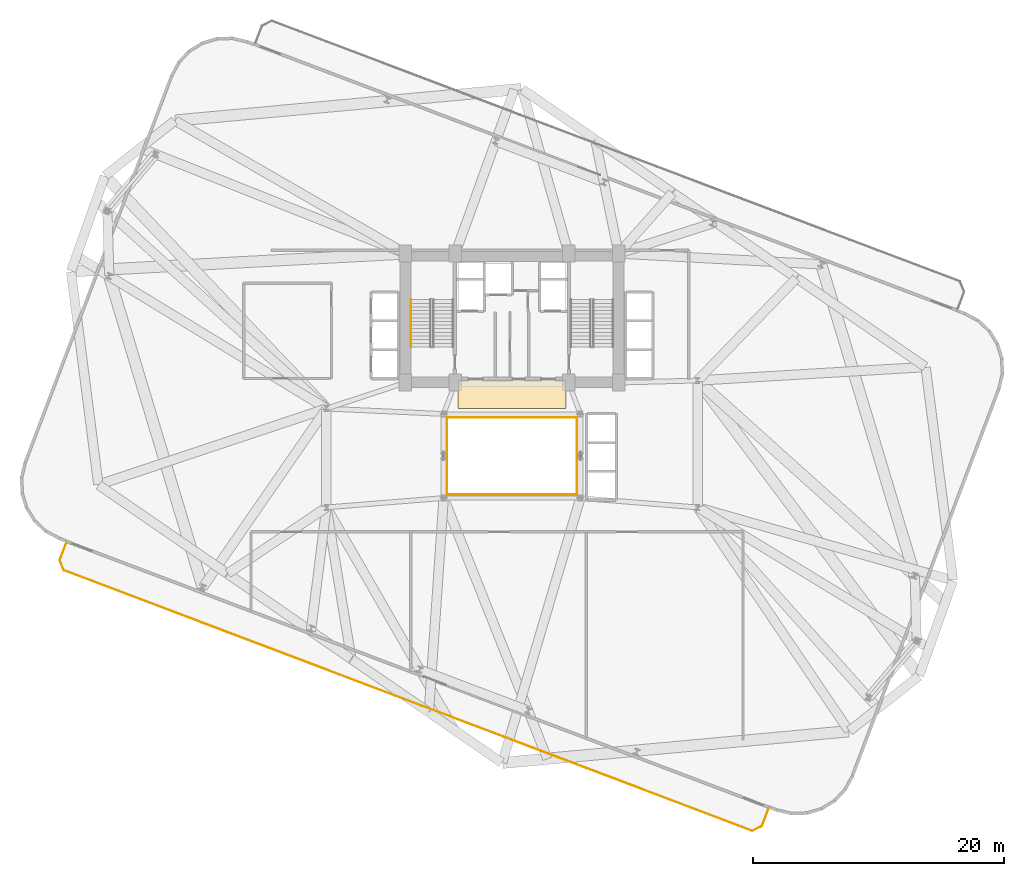
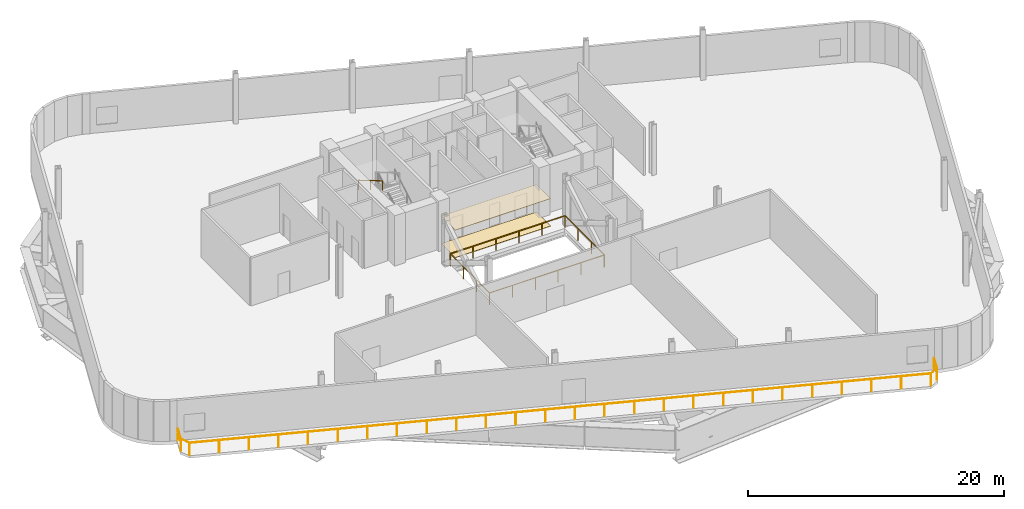
# One storey, part 9 of 11: 4 railings, 2 coverings.
"""IFC4 building model written with IfcOpenShell, lengths in metres."""

from ifc_helpers import new_model, si_unit, direction, frame, origin, origin_2d, place, context, subcontext, project, spatial, rectangle, circle, extrude, source, transform, mapped, material, layer, layer_set, type_object, element, save


model = new_model("IFC4")

# Units and contexts
model_context = context("Model", 3, precision=1e-05, world=origin(), true_north=direction((0.0, 1.0)))
body_context = subcontext(model_context, "Body", "Model", "MODEL_VIEW")
ifc_project = project(units=[si_unit("LENGTHUNIT", "METRE"), si_unit("AREAUNIT", "SQUARE_METRE"), si_unit("VOLUMEUNIT", "CUBIC_METRE"), si_unit("PLANEANGLEUNIT", "RADIAN"), si_unit("MASSUNIT", "GRAM", prefix="KILO")], contexts=[model_context])

# Site, building, storey
site_placement = place(None, origin())
site = spatial("IfcSite", under=ifc_project, at=site_placement, CompositionType="ELEMENT")
building_placement = place(site_placement, origin())
building = spatial("IfcBuilding", under=site, at=building_placement, Name="Varnelok Gate Tower", CompositionType="ELEMENT")
storey_placement = place(building_placement, frame((0.0, 0.0, 71.39990234375)))
storey = spatial("IfcBuildingStorey", under=building, at=storey_placement, Name="L17", CompositionType="ELEMENT", Elevation=71.39990234375)

# Railings
ifc_material_1 = material(Name="Tempered Laminated Balustrade Glass", Category="glass")
railing_type_1 = type_object("IfcRailingType", Name="RL-ATR-GUARD1150", PredefinedType="GUARDRAIL", material=ifc_material_1)
railing_1_placement = place(storey_placement, frame((34.02001953125, 25.929931640625, 0.0)))
element("IfcRailing", 1, at=railing_1_placement, inside=storey, type_object=railing_type_1, Name="L17 Internal Atrium South-West Guardrail", PredefinedType="GUARDRAIL", context=body_context, shape_type="SweptSolid", body=[
    extrude(circle(Radius=0.02392578125, at=origin_2d()), frame((0.0, 0.0, 1.1259765625), z_axis=(0.0, -1.0, 0.0), x_axis=(1.0, 0.0, 0.0)), (0.0, 0.0, 1.0), 6.10986328125),
    extrude(circle(Radius=0.02392578125, at=origin_2d()), frame((0.0, -6.10986328125, 1.1259765625), z_axis=(1.0, 0.0, 0.0), x_axis=(0.0, 1.0, 0.0)), (0.0, 0.0, 1.0), 10.31005859375),
    extrude(circle(Radius=0.02099609375, at=origin_2d()), origin(), (0.0, 0.0, 1.0), 1.101806640625),
    extrude(circle(Radius=0.02099609375, at=origin_2d()), frame((0.0, -2.03662109375, 0.0)), (0.0, 0.0, 1.0), 1.101806640625),
    extrude(circle(Radius=0.02099609375, at=origin_2d()), frame((0.0, -4.0732421875, 0.0)), (0.0, 0.0, 1.0), 1.101806640625),
    extrude(circle(Radius=0.02099609375, at=origin_2d()), frame((0.0, -6.10986328125, 0.0)), (0.0, 0.0, 1.0), 1.101806640625),
    extrude(circle(Radius=0.02099609375, at=origin_2d()), frame((2.06201171875, -6.10986328125, 0.0)), (0.0, 0.0, 1.0), 1.101806640625),
    extrude(circle(Radius=0.02099609375, at=origin_2d()), frame((4.1240234375, -6.10986328125, 0.0)), (0.0, 0.0, 1.0), 1.101806640625),
    extrude(circle(Radius=0.02099609375, at=origin_2d()), frame((6.18603515625, -6.10986328125, 0.0)), (0.0, 0.0, 1.0), 1.101806640625),
    extrude(circle(Radius=0.02099609375, at=origin_2d()), frame((8.248046875, -6.10986328125, 0.0)), (0.0, 0.0, 1.0), 1.101806640625),
    extrude(circle(Radius=0.02099609375, at=origin_2d()), frame((10.31005859375, -6.10986328125, 0.0)), (0.0, 0.0, 1.0), 1.101806640625),
])
railing_2_placement = place(storey_placement, frame((44.3798828125, 19.820068359375, 0.0)))
element("IfcRailing", 2, at=railing_2_placement, inside=storey, type_object=railing_type_1, Name="L17 Internal Atrium North-East Guardrail", PredefinedType="GUARDRAIL", context=body_context, shape_type="SweptSolid", body=[
    extrude(circle(Radius=0.02392578125, at=origin_2d()), frame((0.0, 0.0, 1.1259765625), z_axis=(0.0, 1.0, 0.0), x_axis=(-1.0, 0.0, 0.0)), (0.0, 0.0, 1.0), 6.159912109375),
    extrude(circle(Radius=0.02392578125, at=origin_2d()), frame((0.0, 6.159912109375, 1.1259765625), z_axis=(-1.0, 0.0, 0.0), x_axis=(0.0, -1.0, 0.0)), (0.0, 0.0, 1.0), 10.35986328125),
    extrude(circle(Radius=0.02099609375, at=origin_2d()), origin(), (0.0, 0.0, 1.0), 1.101806640625),
    extrude(circle(Radius=0.02099609375, at=origin_2d()), frame((0.0, 2.05322265625, 0.0)), (0.0, 0.0, 1.0), 1.101806640625),
    extrude(circle(Radius=0.02099609375, at=origin_2d()), frame((0.0, 4.106689453125, 0.0)), (0.0, 0.0, 1.0), 1.101806640625),
    extrude(circle(Radius=0.02099609375, at=origin_2d()), frame((0.0, 6.159912109375, 0.0)), (0.0, 0.0, 1.0), 1.101806640625),
    extrude(circle(Radius=0.02099609375, at=origin_2d()), frame((-2.072021484375, 6.159912109375, 0.0)), (0.0, 0.0, 1.0), 1.101806640625),
    extrude(circle(Radius=0.02099609375, at=origin_2d()), frame((-4.14404296875, 6.159912109375, 0.0)), (0.0, 0.0, 1.0), 1.101806640625),
    extrude(circle(Radius=0.02099609375, at=origin_2d()), frame((-6.2158203125, 6.159912109375, 0.0)), (0.0, 0.0, 1.0), 1.101806640625),
    extrude(circle(Radius=0.02099609375, at=origin_2d()), frame((-8.287841796875, 6.159912109375, 0.0)), (0.0, 0.0, 1.0), 1.101806640625),
    extrude(circle(Radius=0.02099609375, at=origin_2d()), frame((-10.35986328125, 6.159912109375, 0.0)), (0.0, 0.0, 1.0), 1.101806640625),
])
ifc_material_2 = material(Name="Brushed Stainless Steel AISI 316", Category="steel")
railing_type_2 = type_object("IfcRailingType", Name="RL-HANDRAIL-900", PredefinedType="HANDRAIL", material=ifc_material_2)
railing_3_placement = place(storey_placement, frame((31.14990234375, 35.3701171875, 2.571533203125)))
element("IfcRailing", 3, at=railing_3_placement, inside=storey, type_object=railing_type_2, Name="L17 ST-1 stair handrail 2", PredefinedType="HANDRAIL", context=body_context, shape_type="SweptSolid", body=[
    extrude(circle(Radius=0.02392578125, at=origin_2d()), frame((0.0, 0.0, 0.8759765625), z_axis=(0.0, -0.860848830602, 0.508860777473), x_axis=(1.0, 0.0, 0.0)), (0.0, 0.0, 1.0), 4.37939453125),
    extrude(circle(Radius=0.02099609375, at=origin_2d()), origin(), (0.0, 0.0, 1.0), 0.851806640625),
    extrude(circle(Radius=0.02099609375, at=origin_2d()), frame((0.0, -1.885009765625, 1.1142578125)), (0.0, 0.0, 1.0), 0.851806640625),
    extrude(circle(Radius=0.02099609375, at=origin_2d()), frame((0.0, -3.77001953125, 2.228515625)), (0.0, 0.0, 1.0), 0.851806640625),
])
ifc_material_3 = material(Name="Anodized Aluminum Alloy 6063-T6", Category="aluminium")
railing_type_3 = type_object("IfcRailingType", Name="RL-SKYG-1200", PredefinedType="GUARDRAIL", material=ifc_material_3)
railing_4_placement = place(storey_placement, frame((3.657958984375, 15.98046875, 0.0)))
element("IfcRailing", 4, at=railing_4_placement, inside=storey, type_object=railing_type_3, Name="L17 South Terrace Balustrade 1", PredefinedType="GUARDRAIL", context=body_context, shape_type="SweptSolid", body=[
    extrude(circle(Radius=0.02392578125, at=origin_2d()), frame((0.0, 0.0, 1.17578125), z_axis=(-0.354088417467, -0.935211950638, 0.0), x_axis=(0.935211950638, -0.354088417467, 0.0)), (0.0, 0.0, 1.0), 1.469970703125),
    extrude(circle(Radius=0.02392578125, at=origin_2d()), frame((-0.5205078125, -1.374755859375, 1.17578125), z_axis=(0.366254584666, -0.930514685113, 0.0), x_axis=(0.930514685113, 0.366254584666, 0.0)), (0.0, 0.0, 1.0), 0.8779296875),
    extrude(circle(Radius=0.02392578125, at=origin_2d()), frame((-0.198974609375, -2.191650390625, 1.17578125), z_axis=(0.935222284859, -0.354061121705, 0.0), x_axis=(0.354061121705, 0.935222284859, 0.0)), (0.0, 0.0, 1.0), 58.7001953125),
    extrude(circle(Radius=0.02392578125, at=origin_2d()), frame((54.69873046875, -22.97509765625, 1.17578125), z_axis=(0.890725095116, 0.454542412686, 0.0), x_axis=(-0.454542412686, 0.890725095116, 0.0)), (0.0, 0.0, 1.0), 0.877685546875),
    extrude(circle(Radius=0.02392578125, at=origin_2d()), frame((55.48046875, -22.576171875, 1.17578125), z_axis=(0.354088417467, 0.935211950638, 0.0), x_axis=(-0.935211950638, 0.354088417467, 0.0)), (0.0, 0.0, 1.0), 1.469970703125),
    extrude(circle(Radius=0.02099609375, at=origin_2d()), origin(), (0.0, 0.0, 1.0), 1.15185546875),
    extrude(circle(Radius=0.02099609375, at=origin_2d()), frame((-0.5205078125, -1.374755859375, 0.0)), (0.0, 0.0, 1.0), 1.15185546875),
    extrude(circle(Radius=0.02099609375, at=origin_2d()), frame((-0.198974609375, -2.191650390625, 0.0)), (0.0, 0.0, 1.0), 1.15185546875),
    extrude(circle(Radius=0.02099609375, at=origin_2d()), frame((1.996826171875, -3.02294921875, 0.0)), (0.0, 0.0, 1.0), 1.15185546875),
    extrude(circle(Radius=0.02099609375, at=origin_2d()), frame((4.19287109375, -3.854248046875, 0.0)), (0.0, 0.0, 1.0), 1.15185546875),
    extrude(circle(Radius=0.02099609375, at=origin_2d()), frame((6.388671875, -4.685546875, 0.0)), (0.0, 0.0, 1.0), 1.15185546875),
    extrude(circle(Radius=0.02099609375, at=origin_2d()), frame((8.584716796875, -5.51708984375, 0.0)), (0.0, 0.0, 1.0), 1.15185546875),
    extrude(circle(Radius=0.02099609375, at=origin_2d()), frame((10.780517578125, -6.348388671875, 0.0)), (0.0, 0.0, 1.0), 1.15185546875),
    extrude(circle(Radius=0.02099609375, at=origin_2d()), frame((12.9765625, -7.1796875, 0.0)), (0.0, 0.0, 1.0), 1.15185546875),
    extrude(circle(Radius=0.02099609375, at=origin_2d()), frame((15.17236328125, -8.010986328125, 0.0)), (0.0, 0.0, 1.0), 1.15185546875),
    extrude(circle(Radius=0.02099609375, at=origin_2d()), frame((17.368408203125, -8.84228515625, 0.0)), (0.0, 0.0, 1.0), 1.15185546875),
    extrude(circle(Radius=0.02099609375, at=origin_2d()), frame((19.564208984375, -9.673583984375, 0.0)), (0.0, 0.0, 1.0), 1.15185546875),
    extrude(circle(Radius=0.02099609375, at=origin_2d()), frame((21.760009765625, -10.505126953125, 0.0)), (0.0, 0.0, 1.0), 1.15185546875),
    extrude(circle(Radius=0.02099609375, at=origin_2d()), frame((23.9560546875, -11.33642578125, 0.0)), (0.0, 0.0, 1.0), 1.15185546875),
    extrude(circle(Radius=0.02099609375, at=origin_2d()), frame((26.15185546875, -12.167724609375, 0.0)), (0.0, 0.0, 1.0), 1.15185546875),
    extrude(circle(Radius=0.02099609375, at=origin_2d()), frame((28.347900390625, -12.9990234375, 0.0)), (0.0, 0.0, 1.0), 1.15185546875),
    extrude(circle(Radius=0.02099609375, at=origin_2d()), frame((30.543701171875, -13.830322265625, 0.0)), (0.0, 0.0, 1.0), 1.15185546875),
    extrude(circle(Radius=0.02099609375, at=origin_2d()), frame((32.73974609375, -14.66162109375, 0.0)), (0.0, 0.0, 1.0), 1.15185546875),
    extrude(circle(Radius=0.02099609375, at=origin_2d()), frame((34.935546875, -15.4931640625, 0.0)), (0.0, 0.0, 1.0), 1.15185546875),
    extrude(circle(Radius=0.02099609375, at=origin_2d()), frame((37.13134765625, -16.324462890625, 0.0)), (0.0, 0.0, 1.0), 1.15185546875),
    extrude(circle(Radius=0.02099609375, at=origin_2d()), frame((39.327392578125, -17.15576171875, 0.0)), (0.0, 0.0, 1.0), 1.15185546875),
    extrude(circle(Radius=0.02099609375, at=origin_2d()), frame((41.523193359375, -17.987060546875, 0.0)), (0.0, 0.0, 1.0), 1.15185546875),
    extrude(circle(Radius=0.02099609375, at=origin_2d()), frame((43.71923828125, -18.818359375, 0.0)), (0.0, 0.0, 1.0), 1.15185546875),
    extrude(circle(Radius=0.02099609375, at=origin_2d()), frame((45.9150390625, -19.649658203125, 0.0)), (0.0, 0.0, 1.0), 1.15185546875),
    extrude(circle(Radius=0.02099609375, at=origin_2d()), frame((48.111083984375, -20.481201171875, 0.0)), (0.0, 0.0, 1.0), 1.15185546875),
    extrude(circle(Radius=0.02099609375, at=origin_2d()), frame((50.306884765625, -21.3125, 0.0)), (0.0, 0.0, 1.0), 1.15185546875),
    extrude(circle(Radius=0.02099609375, at=origin_2d()), frame((52.5029296875, -22.143798828125, 0.0)), (0.0, 0.0, 1.0), 1.15185546875),
    extrude(circle(Radius=0.02099609375, at=origin_2d()), frame((54.69873046875, -22.97509765625, 0.0)), (0.0, 0.0, 1.0), 1.15185546875),
    extrude(circle(Radius=0.02099609375, at=origin_2d()), frame((55.48046875, -22.576171875, 0.0)), (0.0, 0.0, 1.0), 1.15185546875),
    extrude(circle(Radius=0.02099609375, at=origin_2d()), frame((56.0009765625, -21.201416015625, 0.0)), (0.0, 0.0, 1.0), 1.15185546875),
])

# Coverings
ifc_material_4 = material(Name="Honed Travertine Stone Flooring", Category="masonry")
ifc_layer_1 = layer(ifc_material_4, 0.02490234375)
ifc_layer_set_1 = layer_set([ifc_layer_1], Name="Honed Travertine Stone Flooring")
covering_type_1 = type_object("IfcCoveringType", Name="COV-FLOR-STONE", PredefinedType="FLOORING", material=ifc_layer_set_1)
shared_shape_1 = source(origin(), body_context, "Body", "SweptSolid", [
    extrude(rectangle(XDim=8.60009765625, YDim=2.219970703125, at=origin_2d()), origin(), (0.0, 0.0, 1.0), 0.02490234375),
])
covering_1_placement = place(storey_placement, frame((39.199951171875, 27.800048828125, 0.000244140625), z_axis=(0.0, 0.0, 1.0), x_axis=(1.0, 0.0, 0.0)))
element("IfcCovering", 5, at=covering_1_placement, inside=storey, type_object=covering_type_1, Name="L17 Core Gallery Stone Flooring", PredefinedType="FLOORING", context=body_context, shape_type="MappedRepresentation", body=[
    mapped(shared_shape_1, transform((0.0, 0.0, 0.0), scale=1.0)),
])
ifc_material_5 = material(Name="Mineral Fiber Acoustic Ceiling Tile")
ifc_layer_2 = layer(ifc_material_5, 0.0400390625)
ifc_layer_set_2 = layer_set([ifc_layer_2], Name="Mineral Fiber Acoustic Ceiling Tile")
covering_type_2 = type_object("IfcCoveringType", Name="COV-CEIL-ACOUST", PredefinedType="CEILING", material=ifc_layer_set_2)
shared_shape_2 = source(origin(), body_context, "Body", "SweptSolid", [
    extrude(rectangle(XDim=8.60009765625, YDim=2.239990234375, at=origin_2d()), origin(), (0.0, 0.0, 1.0), 0.0400390625),
])
covering_2_placement = place(storey_placement, frame((39.199951171875, 27.820068359375, 2.60009765625), z_axis=(0.0, 0.0, 1.0), x_axis=(1.0, 0.0, 0.0)))
element("IfcCovering", 6, at=covering_2_placement, inside=storey, type_object=covering_type_2, Name="L17 Core Gallery Acoustic Ceiling", PredefinedType="CEILING", context=body_context, shape_type="MappedRepresentation", body=[
    mapped(shared_shape_2, transform((0.0, 0.0, 0.0), scale=1.0)),
])

save(model, "model.ifc")
